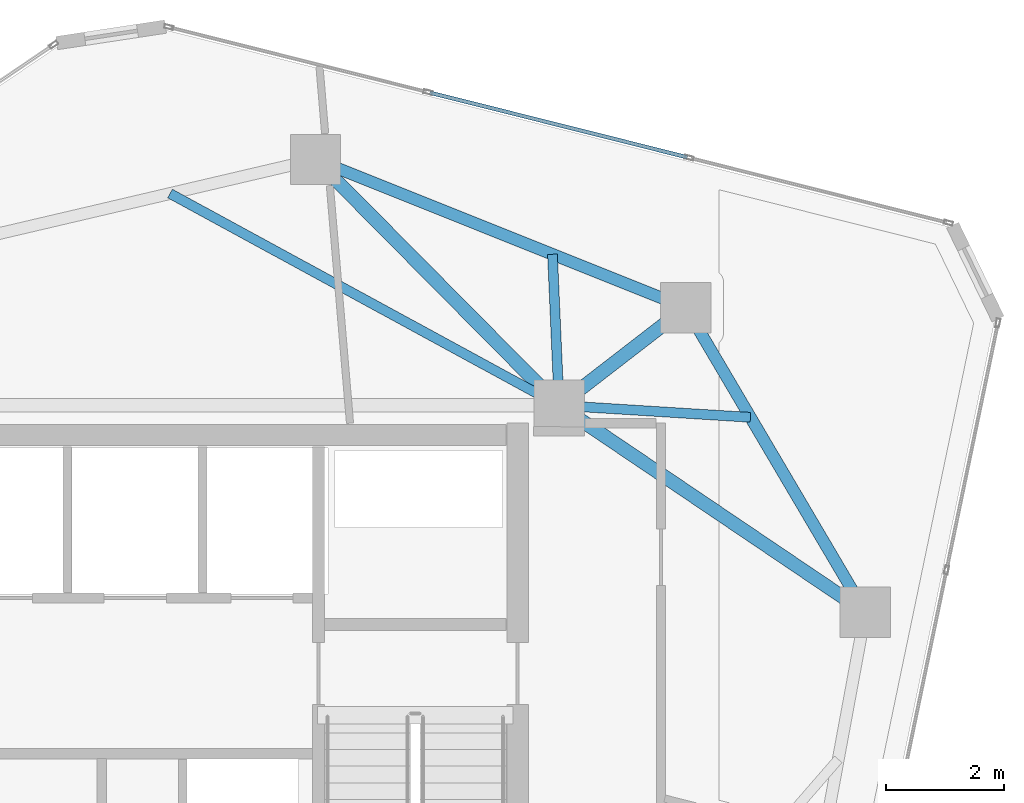
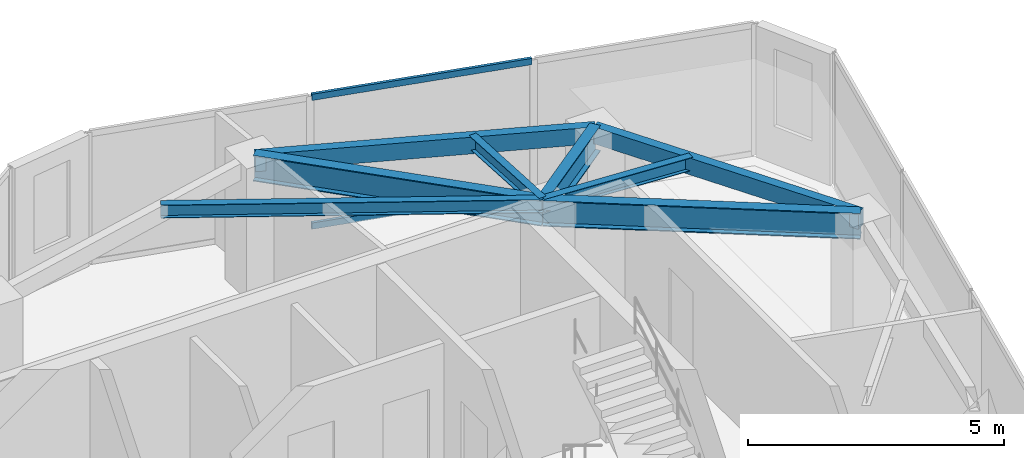
# One storey, part 13 of 20: 8 beams, 2 members, 1 element without a shape of its own.
"""IFC4 building model written with IfcOpenShell, lengths in metres."""

from ifc_helpers import new_model, si_unit, direction, frame, origin, origin_2d, place, context, subcontext, project, spatial, hollow_rectangle, i_section, extrude, source, transform, mapped, material, layer, layer_set, material_profile, profile_set, type_object, type_shapes, element, aggregate, save


model = new_model("IFC4")

# Units and contexts
model_context = context("Model", 3, precision=1e-05, world=origin(), true_north=direction((0.0, 1.0)))
body_context = subcontext(model_context, "Body", "Model", "MODEL_VIEW")
ifc_project = project(units=[si_unit("LENGTHUNIT", "METRE"), si_unit("AREAUNIT", "SQUARE_METRE"), si_unit("VOLUMEUNIT", "CUBIC_METRE"), si_unit("PLANEANGLEUNIT", "RADIAN"), si_unit("MASSUNIT", "GRAM", prefix="KILO")], contexts=[model_context])

# Site, building, storey
site_placement = place(None, origin())
site = spatial("IfcSite", under=ifc_project, at=site_placement, CompositionType="ELEMENT")
building_placement = place(site_placement, origin())
building = spatial("IfcBuilding", under=site, at=building_placement, Name="Talar Marvaseh", CompositionType="ELEMENT")
storey_placement = place(building_placement, frame((0.0, 0.0, 244.199951171875)))
storey = spatial("IfcBuildingStorey", under=building, at=storey_placement, Name="L64", CompositionType="ELEMENT", Elevation=244.199951171875)

# Beams
ifc_material_1 = material(Name="Steel S355", Category="steel")
ifc_material_profile_1 = material_profile(ifc_material_1, hollow_rectangle(XDim=0.199951171875, YDim=0.39990234375, WallThickness=0.013916015625, at=origin_2d()), Name="RHS400x200x14")
ifc_profile_set_1 = profile_set([ifc_material_profile_1], Name="Steel S355")
beam_type_1 = type_object("IfcBeamType", Name="Zone 3 Perimeter Spandrel Beam RHS400x200x14", PredefinedType="SPANDREL", material=ifc_profile_set_1)
beam_1_placement = place(storey_placement, frame((29.18798828125, 41.052001953125, 2.93994140625), z_axis=(0.928426659475, -0.371515730456, 0.0), x_axis=(0.371515730456, 0.928426659475, 0.0)))
element("IfcBeam", 1, at=beam_1_placement, inside=storey, type_object=beam_type_1, Name="L64 Zone 3 Perimeter Spandrel Beam RHS400x200x14", PredefinedType="SPANDREL", context=body_context, shape_type="SweptSolid", body=[
    extrude(hollow_rectangle(XDim=0.199951171875, YDim=0.39990234375, WallThickness=0.013916015625, at=origin_2d()), origin(), (0.0, 0.0, 1.0), 6.73193359375),
])
beam_2_placement = place(storey_placement, frame((35.43798828125, 38.551025390625, 2.93994140625), z_axis=(0.507825587611, -0.861459907696, 0.0), x_axis=(0.861459907696, 0.507825587611, 0.0)))
element("IfcBeam", 2, at=beam_2_placement, inside=storey, type_object=beam_type_1, Name="L64 Zone 3 Perimeter Spandrel Beam RHS400x200x14", PredefinedType="SPANDREL", context=body_context, shape_type="SweptSolid", body=[
    extrude(hollow_rectangle(XDim=0.199951171875, YDim=0.39990234375, WallThickness=0.013916015625, at=origin_2d()), origin(), (0.0, 0.0, 1.0), 5.972412109375),
])
ifc_material_profile_2 = material_profile(ifc_material_1, i_section(OverallWidth=0.166015625, OverallDepth=0.31298828125, WebThickness=0.006591796875, FlangeThickness=0.01123046875, at=origin_2d()), Name="W310x45")
ifc_profile_set_2 = profile_set([ifc_material_profile_2], Name="Steel S355")
beam_type_2 = type_object("IfcBeamType", Name="Zone 3 Secondary Floor Joist W310x45", PredefinedType="JOIST", material=ifc_profile_set_2)
beam_3_placement = place(storey_placement, frame((26.731689453125, 40.476806640625, 2.983642578125), z_axis=(0.878223458764, -0.478250516442, 0.0), x_axis=(0.478250516442, 0.878223458764, 0.0)))
element("IfcBeam", 3, at=beam_3_placement, inside=storey, type_object=beam_type_2, Name="L64 Zone 3 Secondary Floor Joist W310x45", PredefinedType="JOIST", context=body_context, shape_type="SweptSolid", body=[
    extrude(i_section(OverallWidth=0.166015625, OverallDepth=0.31298828125, WebThickness=0.006591796875, FlangeThickness=0.01123046875, at=origin_2d()), origin(), (0.0, 0.0, 1.0), 7.479248046875),
])
beam_4_placement = place(storey_placement, frame((33.18798828125, 39.451416015625, 2.983642578125), z_axis=(0.043876945448, -0.99903694309, 0.0), x_axis=(0.99903694309, 0.043876945448, 0.0)))
element("IfcBeam", 4, at=beam_4_placement, inside=storey, type_object=beam_type_2, Name="L64 Zone 3 Secondary Floor Joist W310x45", PredefinedType="JOIST", context=body_context, shape_type="SweptSolid", body=[
    extrude(i_section(OverallWidth=0.166015625, OverallDepth=0.31298828125, WebThickness=0.006591796875, FlangeThickness=0.01123046875, at=origin_2d()), origin(), (0.0, 0.0, 1.0), 2.553955078125),
])
beam_5_placement = place(storey_placement, frame((36.52978515625, 36.69873046875, 2.983642578125), z_axis=(-0.998065766367, 0.062166920515, 0.0), x_axis=(-0.062166920515, -0.998065766367, 0.0)))
element("IfcBeam", 5, at=beam_5_placement, inside=storey, type_object=beam_type_2, Name="L64 Zone 3 Secondary Floor Joist W310x45", PredefinedType="JOIST", context=body_context, shape_type="SweptSolid", body=[
    extrude(i_section(OverallWidth=0.166015625, OverallDepth=0.31298828125, WebThickness=0.006591796875, FlangeThickness=0.01123046875, at=origin_2d()), origin(), (0.0, 0.0, 1.0), 3.236083984375),
])
ifc_material_profile_3 = material_profile(ifc_material_1, i_section(OverallWidth=0.22998046875, OverallDepth=0.616943359375, WebThickness=0.01318359375, FlangeThickness=0.022216796875, at=origin_2d()), Name="W610x140")
ifc_profile_set_3 = profile_set([ifc_material_profile_3], Name="Steel S355")
beam_type_3 = type_object("IfcBeamType", Name="Zone 4 Radial Floor Girder W610x140", PredefinedType="BEAM", material=ifc_profile_set_3)
beam_6_placement = place(storey_placement, frame((29.18798828125, 41.052001953125, 2.83154296875), z_axis=(0.703672658083, -0.710524306598, 0.0), x_axis=(0.710524306598, 0.703672658083, 0.0)))
element("IfcBeam", 6, at=beam_6_placement, inside=storey, type_object=beam_type_3, Name="L64 Zone 4 Radial Floor Girder W610x140", PredefinedType="BEAM", context=body_context, shape_type="SweptSolid", body=[
    extrude(i_section(OverallWidth=0.22998046875, OverallDepth=0.616943359375, WebThickness=0.01318359375, FlangeThickness=0.022216796875, at=origin_2d()), origin(), (0.0, 0.0, 1.0), 5.84375),
])
beam_7_placement = place(storey_placement, frame((35.43798828125, 38.551025390625, 2.83154296875), z_axis=(-0.791449946636, -0.611233982996, 0.0), x_axis=(0.611233982996, -0.791449946636, 0.0)))
element("IfcBeam", 7, at=beam_7_placement, inside=storey, type_object=beam_type_3, Name="L64 Zone 4 Radial Floor Girder W610x140", PredefinedType="BEAM", context=body_context, shape_type="SweptSolid", body=[
    extrude(i_section(OverallWidth=0.22998046875, OverallDepth=0.616943359375, WebThickness=0.01318359375, FlangeThickness=0.022216796875, at=origin_2d()), origin(), (0.0, 0.0, 1.0), 2.701416015625),
])
beam_8_placement = place(storey_placement, frame((38.470947265625, 33.406005859375, 2.83154296875), z_axis=(-0.828585535277, 0.559862492698, 0.0), x_axis=(-0.559862492698, -0.828585535277, 0.0)))
element("IfcBeam", 8, at=beam_8_placement, inside=storey, type_object=beam_type_3, Name="L64 Zone 4 Radial Floor Girder W610x140", PredefinedType="BEAM", context=body_context, shape_type="SweptSolid", body=[
    extrude(i_section(OverallWidth=0.22998046875, OverallDepth=0.616943359375, WebThickness=0.01318359375, FlangeThickness=0.022216796875, at=origin_2d()), origin(), (0.0, 0.0, 1.0), 6.24072265625),
])

# Curtain wall, members
ifc_material_2 = material(Name="Architectural Aluminium", Category="aluminium")
ifc_layer = layer(ifc_material_2, 0.179931640625)
ifc_layer_set = layer_set([ifc_layer], Name="Architectural Aluminium")
curtain_wall_type = type_object("IfcCurtainWallType", Name="Unitised High-Wind Sky Curtain Wall Z4", PredefinedType="NOTDEFINED", material=ifc_layer_set)
curtain_wall_placement = place(storey_placement, origin())
curtain_wall = element("IfcCurtainWall", 9, at=curtain_wall_placement, inside=storey, type_object=curtain_wall_type, Name="L64 Unitised High-Wind Sky Curtain Wall Z4", PredefinedType="NOTDEFINED")
ifc_material_profile_4 = material_profile(ifc_material_2, hollow_rectangle(XDim=0.06494140625, YDim=0.14990234375, WallThickness=0.00390625, at=origin_2d()), Name="RHS150x65x4")
ifc_profile_set_4 = profile_set([ifc_material_profile_4], Name="Architectural Aluminium")
member_type = type_object("IfcMemberType", Name="Unitised Curtain Wall Slim Transom RHS150x65x4", PredefinedType="USERDEFINED", material=ifc_profile_set_4)
shared_shape = source(origin(), body_context, "Body", "SweptSolid", [
    extrude(hollow_rectangle(XDim=0.06494140625, YDim=0.14990234375, WallThickness=0.00390625, at=origin_2d()), origin(), (0.0, 0.0, 1.0), 4.47998046875),
])
type_shapes(member_type, [shared_shape])
member_1_placement = place(storey_placement, frame((31.119140625, 42.17919921875, 0.032470703125), z_axis=(0.969888719031, -0.243548501733, 0.0), x_axis=(0.243548501733, 0.969888719031, 0.0)))
member_1 = element("IfcMember", 10, at=member_1_placement, type_object=member_type, Name="CW-Z4 transom 2.1", ObjectType="TRANSOM", PredefinedType="USERDEFINED", context=body_context, shape_type="MappedRepresentation", body=[
    mapped(shared_shape, transform((0.0, 0.0, 0.0), x_axis=(1.0, 0.0, 0.0), y_axis=(0.0, 1.0, 0.0), z_axis=(0.0, 0.0, 1.0), scale=1.0)),
])
member_2_placement = place(storey_placement, frame((31.119140625, 42.17919921875, 3.107666015625), z_axis=(0.969888719031, -0.243548501733, 0.0), x_axis=(0.243548501733, 0.969888719031, 0.0)))
member_2 = element("IfcMember", 11, at=member_2_placement, type_object=member_type, Name="CW-Z4 transom 2.2", ObjectType="TRANSOM", PredefinedType="USERDEFINED", context=body_context, shape_type="MappedRepresentation", body=[
    mapped(shared_shape, transform((0.0, 0.0, 0.0), x_axis=(1.0, 0.0, 0.0), y_axis=(0.0, 1.0, 0.0), z_axis=(0.0, 0.0, 1.0), scale=1.0)),
])
aggregate(curtain_wall, [member_1, member_2])

save(model, "model.ifc")
